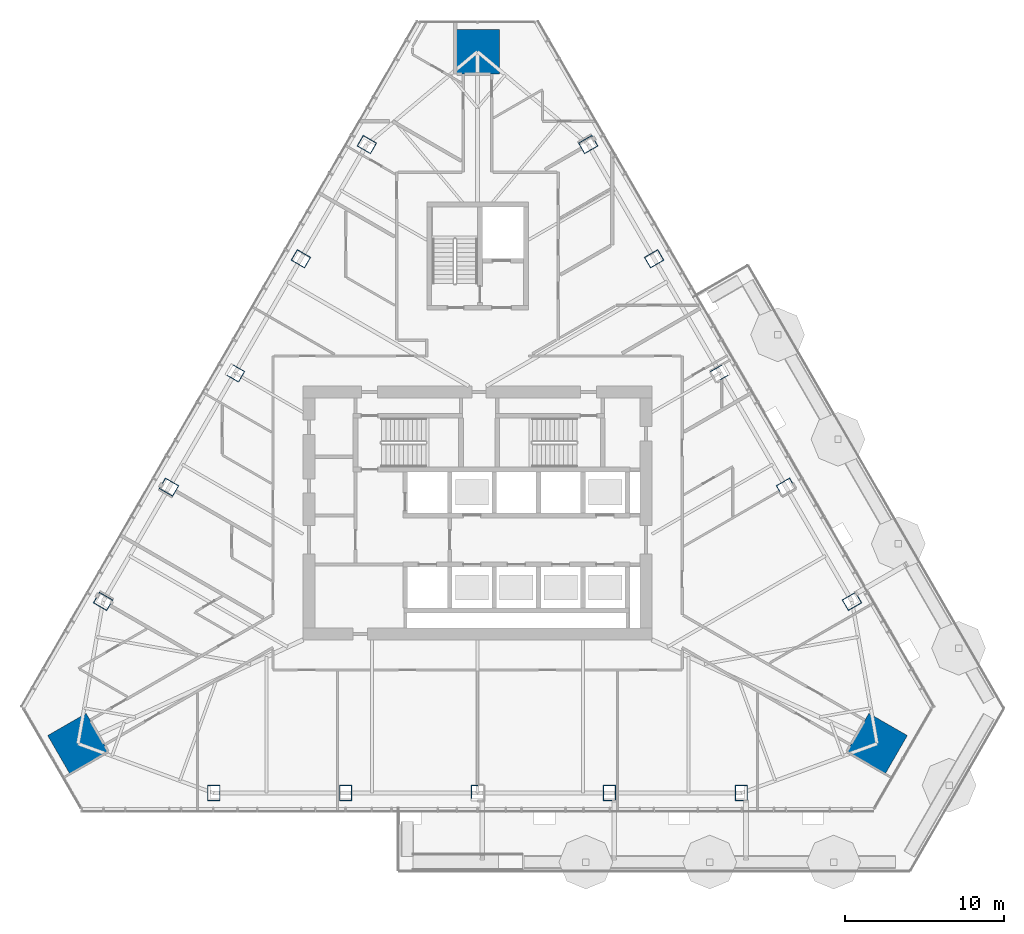
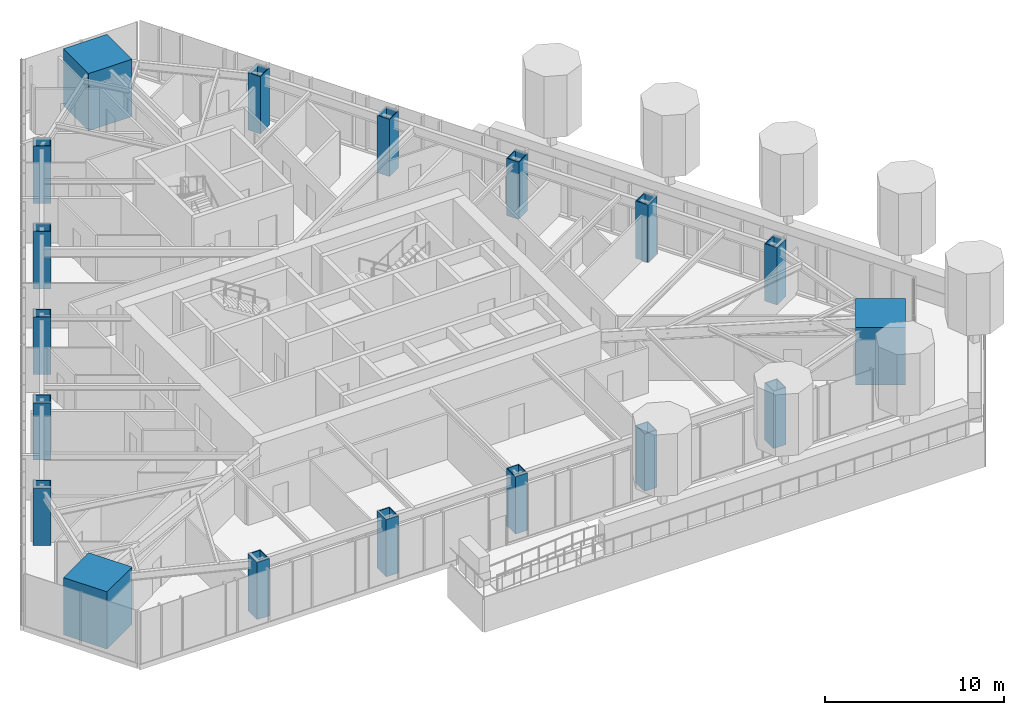
# One storey, part 1 of 18: 18 columns.
"""IFC4 building model written with IfcOpenShell, lengths in metres."""

from ifc_helpers import new_model, si_unit, direction, frame, origin, origin_2d, place, context, subcontext, project, spatial, rectangle, hollow_rectangle, extrude, material, material_profile, profile_set, type_object, element, save


model = new_model("IFC4")

# Units and contexts
model_context = context("Model", 3, precision=1e-05, world=origin(), true_north=direction((0.0, 1.0)))
body_context = subcontext(model_context, "Body", "Model", "MODEL_VIEW")
ifc_project = project(units=[si_unit("LENGTHUNIT", "METRE"), si_unit("AREAUNIT", "SQUARE_METRE"), si_unit("VOLUMEUNIT", "CUBIC_METRE"), si_unit("PLANEANGLEUNIT", "RADIAN"), si_unit("MASSUNIT", "GRAM", prefix="KILO")], contexts=[model_context])

# Site, building, storey
site_placement = place(None, origin())
site = spatial("IfcSite", under=ifc_project, at=site_placement, CompositionType="ELEMENT")
building_placement = place(site_placement, origin())
building = spatial("IfcBuilding", under=site, at=building_placement, Name="Firuza Gate Tower and Library", CompositionType="ELEMENT")
storey_placement = place(building_placement, frame((0.0, 0.0, 226.0)))
storey = spatial("IfcBuildingStorey", under=building, at=storey_placement, Name="L53", CompositionType="ELEMENT", Elevation=226.0)

# Columns
ifc_material_1 = material(Name="Steel S355", Category="steel")
ifc_material_profile_1 = material_profile(ifc_material_1, hollow_rectangle(XDim=0.800048828125, YDim=1.0, WallThickness=0.050048828125, at=origin_2d()))
ifc_profile_set_1 = profile_set([ifc_material_profile_1], Name="Steel S355")
column_type_1 = type_object("IfcColumnType", Name="BU1000x800x50 Composite box column", PredefinedType="COLUMN", material=ifc_profile_set_1)
for number, where, z_axis, x_axis, name in (
    (1, (58.36474609375, 57.336669921875, -0.00048828125), (0.0, 0.0, 1.0), (1.0, 0.0, 0.0), "Column S1 L53"),
    (2, (66.682373046875, 57.336669921875, -0.00048828125), (0.0, 0.0, 1.0), (1.0, 0.0, 0.0), "Column S2 L53"),
    (3, (75.0, 57.336669921875, -0.00048828125), (0.0, 0.0, 1.0), (1.0, 0.0, 0.0), "Column S3 L53"),
    (4, (83.317626953125, 57.336669921875, -0.00048828125), (0.0, 0.0, 1.0), (1.0, 0.0, 0.0), "Column S4 L53"),
    (5, (91.63525390625, 57.336669921875, -0.00048828125), (0.0, 0.0, 1.0), (1.0, 0.0, 0.0), "Column S5 L53"),
    (6, (98.614501953125, 69.42529296875, -0.00048828125), (0.0, 0.0, 1.0), (-0.5, 0.866025403784, 0.0), "Column E1 L53"),
    (7, (94.455810546875, 76.62841796875, -0.00048828125), (0.0, 0.0, 1.0), (-0.5, 0.866025403784, 0.0), "Column E2 L53"),
    (8, (90.296875, 83.831787109375, -0.00048828125), (0.0, 0.0, 1.0), (-0.5, 0.866025403784, 0.0), "Column E3 L53"),
    (9, (86.13818359375, 91.034912109375, -0.00048828125), (0.0, 0.0, 1.0), (-0.5, 0.866025403784, 0.0), "Column E4 L53"),
    (10, (81.9794921875, 98.23828125, -0.00048828125), (0.0, 0.0, 1.0), (-0.5, 0.866025403784, 0.0), "Column E5 L53"),
    (11, (68.0205078125, 98.23828125, -0.00048828125), (0.0, 0.0, 1.0), (-0.5, -0.866025403784, 0.0), "Column W1 L53"),
    (12, (63.86181640625, 91.034912109375, -0.00048828125), (0.0, 0.0, 1.0), (-0.5, -0.866025403784, 0.0), "Column W2 L53"),
    (13, (59.703125, 83.831787109375, -0.00048828125), (0.0, 0.0, 1.0), (-0.5, -0.866025403784, 0.0), "Column W3 L53"),
    (14, (55.544189453125, 76.62841796875, -0.00048828125), (0.0, 0.0, 1.0), (-0.5, -0.866025403784, 0.0), "Column W4 L53"),
    (15, (51.385498046875, 69.42529296875, -0.00048828125), (0.0, 0.0, 1.0), (-0.5, -0.866025403784, 0.0), "Column W5 L53"),
):
    element("IfcColumn", number, at=place(storey_placement, frame(where, z_axis=z_axis, x_axis=x_axis)), inside=storey, type_object=column_type_1, Name=name, PredefinedType="COLUMN", context=body_context, shape_type="SweptSolid", body=[
        extrude(hollow_rectangle(XDim=0.800048828125, YDim=1.0, WallThickness=0.050048828125, at=origin_2d()), origin(), (0.0, 0.0, 1.0), 3.900390625),
    ])
ifc_material_2 = material(Name="Concrete C80/95", Category="concrete")
ifc_material_profile_2 = material_profile(ifc_material_2, rectangle(XDim=2.800048828125, YDim=2.800048828125, at=origin_2d()))
ifc_profile_set_2 = profile_set([ifc_material_profile_2], Name="Concrete C80/95")
column_type_2 = type_object("IfcColumnType", Name="Mega column 2800x2800 C80/95", PredefinedType="COLUMN", material=ifc_profile_set_2)
for number, where, z_axis, x_axis, name in (
    (16, (100.19384765625, 60.454345703125, 0.0), (0.0, 0.0, 1.0), (0.5, 0.866025403784, 0.0), "Mega column SE L53"),
    (17, (75.0, 104.091552734375, 0.0), (0.0, 0.0, 1.0), (-1.0, 0.0, 0.0), "Mega column N L53"),
    (18, (49.80615234375, 60.454345703125, 0.0), (0.0, 0.0, 1.0), (0.5, -0.866025403784, 0.0), "Mega column SW L53"),
):
    element("IfcColumn", number, at=place(storey_placement, frame(where, z_axis=z_axis, x_axis=x_axis)), inside=storey, type_object=column_type_2, Name=name, PredefinedType="COLUMN", context=body_context, shape_type="SweptSolid", body=[
        extrude(rectangle(XDim=2.800048828125, YDim=2.800048828125, at=origin_2d()), origin(), (0.0, 0.0, 1.0), 3.89990234375),
    ])

save(model, "model.ifc")
